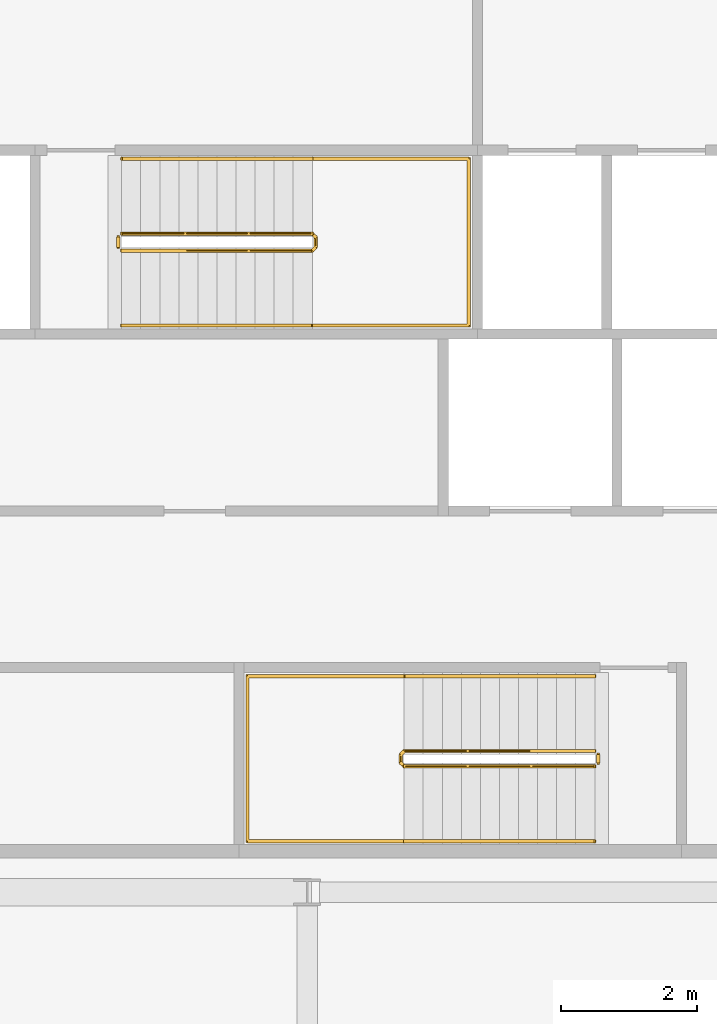
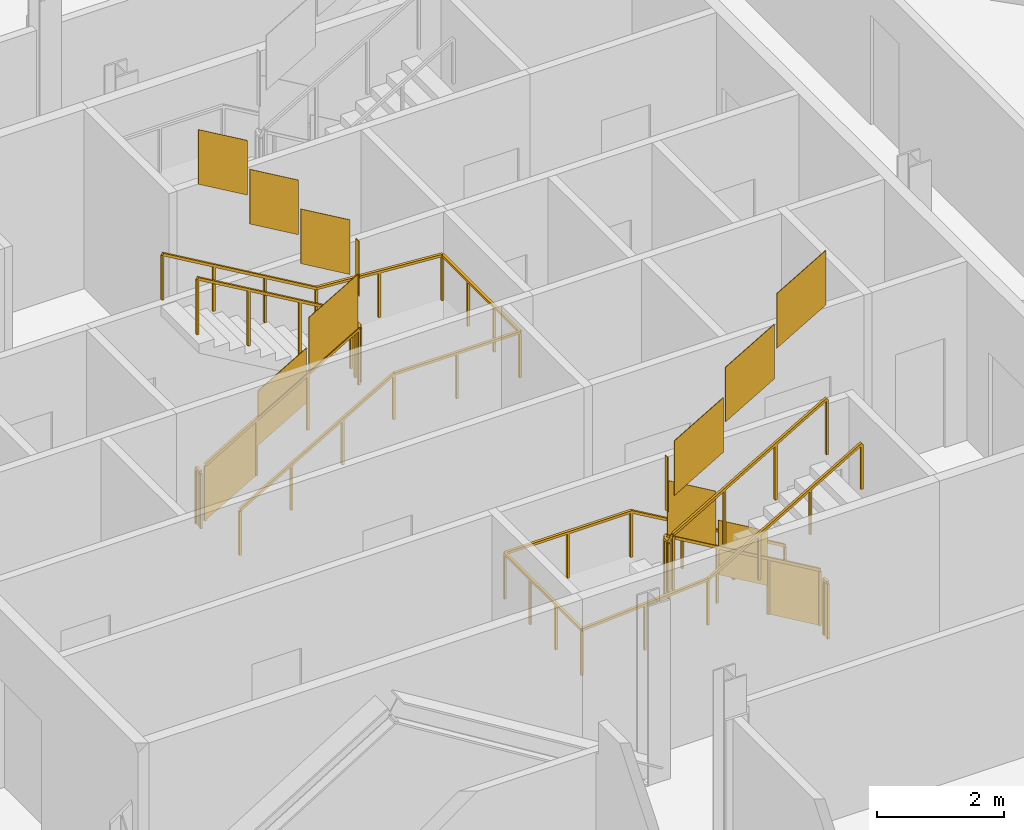
# One storey, part 14 of 17: 6 railings.
"""IFC4 building model written with IfcOpenShell, lengths in metres."""

from ifc_helpers import new_model, si_unit, direction, frame, origin, origin_2d, place, context, subcontext, project, spatial, polyline, rectangle, outline, extrude, material, type_object, element, save


model = new_model("IFC4")

# Units and contexts
model_context = context("Model", 3, precision=1e-05, world=origin(), true_north=direction((0.0, 1.0)))
body_context = subcontext(model_context, "Body", "Model", "MODEL_VIEW")
ifc_project = project(units=[si_unit("LENGTHUNIT", "METRE"), si_unit("AREAUNIT", "SQUARE_METRE"), si_unit("VOLUMEUNIT", "CUBIC_METRE"), si_unit("PLANEANGLEUNIT", "RADIAN"), si_unit("MASSUNIT", "GRAM", prefix="KILO")], contexts=[model_context])

# Site, building, storey
site_placement = place(None, origin())
site = spatial("IfcSite", under=ifc_project, at=site_placement, CompositionType="ELEMENT")
building_placement = place(site_placement, origin())
building = spatial("IfcBuilding", under=site, at=building_placement, Name="Cairn Pilgrim Tower", CompositionType="ELEMENT")
storey_placement = place(building_placement, frame((0.0, 0.0, 274.199951171875)))
storey = spatial("IfcBuildingStorey", under=building, at=storey_placement, Name="L70", CompositionType="ELEMENT", Elevation=274.199951171875)

# Railings
ifc_material = material(Name="Painted steel", Category="steel")
railing_type_1 = type_object("IfcRailingType", Name="STAIR GUARD 1100", PredefinedType="GUARDRAIL", material=ifc_material)
railing_1_placement = place(storey_placement, frame((11.425048828125, -3.925048828125, 0.16357421875)))
element("IfcRailing", 1, at=railing_1_placement, inside=storey, type_object=railing_type_1, Name="L70 ST-A stair guard 1", PredefinedType="GUARDRAIL", context=body_context, shape_type="SweptSolid", body=[
    extrude(rectangle(XDim=0.048095703125, YDim=0.048095703125, at=origin_2d()), frame((0.0, 0.0, 1.076171875), z_axis=(-0.863360870873, 0.0, 0.504586966384), x_axis=(0.0, -1.0, 0.0)), (0.0, 0.0, 1.0), 3.2431640625),
    extrude(rectangle(XDim=0.048095703125, YDim=0.048095703125, at=origin_2d()), frame((-2.800048828125, 0.0, 2.71240234375), z_axis=(-0.707106781187, -0.707106781187, 0.0), x_axis=(0.707106781187, -0.707106781187, 0.0)), (0.0, 0.0, 1.0), 0.07080078125),
    extrude(rectangle(XDim=0.048095703125, YDim=0.048095703125, at=origin_2d()), frame((-2.85009765625, -0.050048828125, 2.71240234375), z_axis=(0.0, -1.0, 0.0), x_axis=(1.0, 0.0, 0.0)), (0.0, 0.0, 1.0), 0.125),
    extrude(rectangle(XDim=0.048095703125, YDim=0.048095703125, at=origin_2d()), frame((-2.85009765625, -0.175048828125, 2.71240234375), z_axis=(0.280916556609, -0.279546231943, 0.91811752648), x_axis=(0.705375805398, 0.708833529934, 0.0)), (0.0, 0.0, 1.0), 0.17822265625),
    extrude(rectangle(XDim=0.048095703125, YDim=0.048095703125, at=origin_2d()), frame((-2.800048828125, -0.224853515625, 2.8759765625), z_axis=(0.863360870873, 0.0, 0.504586966384), x_axis=(0.0, 1.0, 0.0)), (0.0, 0.0, 1.0), 3.2431640625),
    extrude(rectangle(XDim=0.0419921875, YDim=0.0419921875, at=origin_2d()), origin(), (0.0, 0.0, 1.0), 1.052001953125),
    extrude(rectangle(XDim=0.0419921875, YDim=0.0419921875, at=origin_2d()), frame((-0.933349609375, 0.0, 0.54541015625)), (0.0, 0.0, 1.0), 1.052001953125),
    extrude(rectangle(XDim=0.0419921875, YDim=0.0419921875, at=origin_2d()), frame((-1.86669921875, 0.0, 1.091064453125)), (0.0, 0.0, 1.0), 1.052001953125),
    extrude(rectangle(XDim=0.0419921875, YDim=0.0419921875, at=origin_2d()), frame((-2.800048828125, 0.0, 1.636474609375)), (0.0, 0.0, 1.0), 1.052001953125),
    extrude(rectangle(XDim=0.0419921875, YDim=0.0419921875, at=origin_2d()), frame((-2.85009765625, -0.050048828125, 1.636474609375)), (0.0, 0.0, 1.0), 1.052001953125),
    extrude(rectangle(XDim=0.0419921875, YDim=0.0419921875, at=origin_2d()), frame((-2.85009765625, -0.175048828125, 1.636474609375)), (0.0, 0.0, 1.0), 1.052001953125),
    extrude(rectangle(XDim=0.0419921875, YDim=0.0419921875, at=origin_2d()), frame((-2.800048828125, -0.224853515625, 1.800048828125)), (0.0, 0.0, 1.0), 1.052001953125),
    extrude(rectangle(XDim=0.0419921875, YDim=0.0419921875, at=origin_2d()), frame((-1.86669921875, -0.224853515625, 2.345458984375)), (0.0, 0.0, 1.0), 1.052001953125),
    extrude(rectangle(XDim=0.0419921875, YDim=0.0419921875, at=origin_2d()), frame((-0.933349609375, -0.224853515625, 2.89111328125)), (0.0, 0.0, 1.0), 1.052001953125),
    extrude(rectangle(XDim=0.0419921875, YDim=0.0419921875, at=origin_2d()), frame((0.0, -0.224853515625, 3.4365234375)), (0.0, 0.0, 1.0), 1.052001953125),
    extrude(outline(polyline([(0.02099609375, 0.01220703125), (0.912353515625, 0.533203125), (0.912353515625, 1.585205078125), (0.02099609375, 1.064208984375), (0.02099609375, 0.01220703125)])), frame((0.0, -0.005859375, 0.0), z_axis=(0.0, 1.0, 0.0), x_axis=(-1.0, 0.0, 0.0)), (0.0, 0.0, 1.0), 0.011962890625),
    extrude(outline(polyline([(0.02099609375, 0.557861328125), (0.912353515625, 1.07861328125), (0.912353515625, 2.130615234375), (0.02099609375, 1.60986328125), (0.02099609375, 0.557861328125)])), frame((-0.933349609375, -0.005859375, 0.54541015625), z_axis=(0.0, 1.0, 0.0), x_axis=(-1.0, 0.0, 0.0)), (0.0, 0.0, 1.0), 0.011962890625),
    extrude(outline(polyline([(0.02099609375, 1.103271484375), (0.912353515625, 1.624267578125), (0.912353515625, 2.67626953125), (0.02099609375, 2.1552734375), (0.02099609375, 1.103271484375)])), frame((-1.86669921875, -0.005859375, 1.091064453125), z_axis=(0.0, 1.0, 0.0), x_axis=(-1.0, 0.0, 0.0)), (0.0, 0.0, 1.0), 0.011962890625),
    extrude(outline(polyline([(0.02099609375, 1.636474609375), (0.10400390625, 1.636474609375), (0.10400390625, 2.6884765625), (0.02099609375, 2.6884765625), (0.02099609375, 1.636474609375)])), frame((-2.84423828125, -0.050048828125, 1.636474609375), z_axis=(-1.0, 0.0, 0.0), x_axis=(0.0, -1.0, 0.0)), (0.0, 0.0, 1.0), 0.011962890625),
    extrude(outline(polyline([(0.02099609375, 1.812255859375), (0.912353515625, 2.333251953125), (0.912353515625, 3.38525390625), (0.02099609375, 2.8642578125), (0.02099609375, 1.812255859375)])), frame((-2.800048828125, -0.21875, 1.800048828125), z_axis=(0.0, -1.0, 0.0), x_axis=(1.0, 0.0, 0.0)), (0.0, 0.0, 1.0), 0.011962890625),
    extrude(outline(polyline([(0.02099609375, 2.35791015625), (0.912353515625, 2.878662109375), (0.912353515625, 3.9306640625), (0.02099609375, 3.409912109375), (0.02099609375, 2.35791015625)])), frame((-1.86669921875, -0.21875, 2.345458984375), z_axis=(0.0, -1.0, 0.0), x_axis=(1.0, 0.0, 0.0)), (0.0, 0.0, 1.0), 0.011962890625),
    extrude(outline(polyline([(0.02099609375, 2.9033203125), (0.912353515625, 3.42431640625), (0.912353515625, 4.476318359375), (0.02099609375, 3.955322265625), (0.02099609375, 2.9033203125)])), frame((-0.933349609375, -0.21875, 2.89111328125), z_axis=(0.0, -1.0, 0.0), x_axis=(1.0, 0.0, 0.0)), (0.0, 0.0, 1.0), 0.011962890625),
])
railing_2_placement = place(storey_placement, frame((11.47509765625, -3.97509765625, 0.0)))
element("IfcRailing", 2, at=railing_2_placement, inside=storey, type_object=railing_type_1, Name="L70 ST-A stair guard 2", PredefinedType="GUARDRAIL", context=body_context, shape_type="SweptSolid", body=[
    extrude(rectangle(XDim=0.048095703125, YDim=0.048095703125, at=origin_2d()), frame((0.0, 0.0, 1.076171875), z_axis=(0.0, -1.0, 0.0), x_axis=(1.0, 0.0, 0.0)), (0.0, 0.0, 1.0), 0.125),
    extrude(rectangle(XDim=0.0419921875, YDim=0.0419921875, at=origin_2d()), origin(), (0.0, 0.0, 1.0), 1.052001953125),
    extrude(rectangle(XDim=0.0419921875, YDim=0.0419921875, at=origin_2d()), frame((0.0, -0.125, 0.0)), (0.0, 0.0, 1.0), 1.052001953125),
    extrude(outline(polyline([(0.02099609375, 0.0), (0.10400390625, 0.0), (0.10400390625, 1.052001953125), (0.02099609375, 1.052001953125), (0.02099609375, 0.0)])), frame((0.005859375, 0.0, 0.0), z_axis=(-1.0, 0.0, 0.0), x_axis=(0.0, -1.0, 0.0)), (0.0, 0.0, 1.0), 0.011962890625),
])
railing_3_placement = place(storey_placement, frame((4.47509765625, 3.425048828125, 0.16357421875)))
element("IfcRailing", 3, at=railing_3_placement, inside=storey, type_object=railing_type_1, Name="L70 ST-B stair guard 1", PredefinedType="GUARDRAIL", context=body_context, shape_type="SweptSolid", body=[
    extrude(rectangle(XDim=0.048095703125, YDim=0.048095703125, at=origin_2d()), frame((0.0, 0.0, 1.076171875), z_axis=(0.863341702679, 0.0, 0.504619762213), x_axis=(0.0, 1.0, 0.0)), (0.0, 0.0, 1.0), 3.242919921875),
    extrude(rectangle(XDim=0.048095703125, YDim=0.048095703125, at=origin_2d()), frame((2.7998046875, 0.0, 2.71240234375), z_axis=(0.707106781187, 0.707106781187, 0.0), x_axis=(-0.707106781187, 0.707106781187, 0.0)), (0.0, 0.0, 1.0), 0.07080078125),
    extrude(rectangle(XDim=0.048095703125, YDim=0.048095703125, at=origin_2d()), frame((2.849853515625, 0.050048828125, 2.71240234375), z_axis=(0.0, 1.0, 0.0), x_axis=(-1.0, 0.0, 0.0)), (0.0, 0.0, 1.0), 0.14990234375),
    extrude(rectangle(XDim=0.048095703125, YDim=0.048095703125, at=origin_2d()), frame((2.849853515625, 0.199951171875, 2.71240234375), z_axis=(-0.280808744504, 0.280808744504, 0.917765164963), x_axis=(-0.707106781187, -0.707106781187, 0.0)), (0.0, 0.0, 1.0), 0.17822265625),
    extrude(rectangle(XDim=0.048095703125, YDim=0.048095703125, at=origin_2d()), frame((2.7998046875, 0.25, 2.8759765625), z_axis=(-0.863341702679, 0.0, 0.504619762213), x_axis=(0.0, -1.0, 0.0)), (0.0, 0.0, 1.0), 3.242919921875),
    extrude(rectangle(XDim=0.0419921875, YDim=0.0419921875, at=origin_2d()), origin(), (0.0, 0.0, 1.0), 1.052001953125),
    extrude(rectangle(XDim=0.0419921875, YDim=0.0419921875, at=origin_2d()), frame((0.933349609375, 0.0, 0.54541015625)), (0.0, 0.0, 1.0), 1.052001953125),
    extrude(rectangle(XDim=0.0419921875, YDim=0.0419921875, at=origin_2d()), frame((1.866455078125, 0.0, 1.091064453125)), (0.0, 0.0, 1.0), 1.052001953125),
    extrude(rectangle(XDim=0.0419921875, YDim=0.0419921875, at=origin_2d()), frame((2.7998046875, 0.0, 1.636474609375)), (0.0, 0.0, 1.0), 1.052001953125),
    extrude(rectangle(XDim=0.0419921875, YDim=0.0419921875, at=origin_2d()), frame((2.849853515625, 0.050048828125, 1.636474609375)), (0.0, 0.0, 1.0), 1.052001953125),
    extrude(rectangle(XDim=0.0419921875, YDim=0.0419921875, at=origin_2d()), frame((2.849853515625, 0.199951171875, 1.636474609375)), (0.0, 0.0, 1.0), 1.052001953125),
    extrude(rectangle(XDim=0.0419921875, YDim=0.0419921875, at=origin_2d()), frame((2.7998046875, 0.25, 1.800048828125)), (0.0, 0.0, 1.0), 1.052001953125),
    extrude(rectangle(XDim=0.0419921875, YDim=0.0419921875, at=origin_2d()), frame((1.866455078125, 0.25, 2.345458984375)), (0.0, 0.0, 1.0), 1.052001953125),
    extrude(rectangle(XDim=0.0419921875, YDim=0.0419921875, at=origin_2d()), frame((0.933349609375, 0.25, 2.89111328125)), (0.0, 0.0, 1.0), 1.052001953125),
    extrude(rectangle(XDim=0.0419921875, YDim=0.0419921875, at=origin_2d()), frame((0.0, 0.25, 3.4365234375)), (0.0, 0.0, 1.0), 1.052001953125),
    extrude(outline(polyline([(0.02099609375, 0.01220703125), (0.912353515625, 0.533203125), (0.912353515625, 1.585205078125), (0.02099609375, 1.064208984375), (0.02099609375, 0.01220703125)])), frame((0.0, 0.005859375, 0.0), z_axis=(0.0, -1.0, 0.0), x_axis=(1.0, 0.0, 0.0)), (0.0, 0.0, 1.0), 0.011962890625),
    extrude(outline(polyline([(0.02099609375, 0.557861328125), (0.912353515625, 1.07861328125), (0.912353515625, 2.130615234375), (0.02099609375, 1.60986328125), (0.02099609375, 0.557861328125)])), frame((0.933349609375, 0.005859375, 0.54541015625), z_axis=(0.0, -1.0, 0.0), x_axis=(1.0, 0.0, 0.0)), (0.0, 0.0, 1.0), 0.011962890625),
    extrude(outline(polyline([(0.02099609375, 1.103271484375), (0.912353515625, 1.624267578125), (0.912353515625, 2.67626953125), (0.02099609375, 2.1552734375), (0.02099609375, 1.103271484375)])), frame((1.866455078125, 0.005859375, 1.091064453125), z_axis=(0.0, -1.0, 0.0), x_axis=(1.0, 0.0, 0.0)), (0.0, 0.0, 1.0), 0.011962890625),
    extrude(outline(polyline([(0.02099609375, 1.636474609375), (0.12890625, 1.636474609375), (0.12890625, 2.6884765625), (0.02099609375, 2.6884765625), (0.02099609375, 1.636474609375)])), frame((2.84375, 0.050048828125, 1.636474609375), z_axis=(1.0, 0.0, 0.0), x_axis=(0.0, 1.0, 0.0)), (0.0, 0.0, 1.0), 0.011962890625),
    extrude(outline(polyline([(0.02099609375, 1.812255859375), (0.912353515625, 2.333251953125), (0.912353515625, 3.38525390625), (0.02099609375, 2.8642578125), (0.02099609375, 1.812255859375)])), frame((2.7998046875, 0.244140625, 1.800048828125), z_axis=(0.0, 1.0, 0.0), x_axis=(-1.0, 0.0, 0.0)), (0.0, 0.0, 1.0), 0.011962890625),
    extrude(outline(polyline([(0.02099609375, 2.35791015625), (0.912353515625, 2.878662109375), (0.912353515625, 3.9306640625), (0.02099609375, 3.409912109375), (0.02099609375, 2.35791015625)])), frame((1.866455078125, 0.244140625, 2.345458984375), z_axis=(0.0, 1.0, 0.0), x_axis=(-1.0, 0.0, 0.0)), (0.0, 0.0, 1.0), 0.011962890625),
    extrude(outline(polyline([(0.02099609375, 2.9033203125), (0.912353515625, 3.42431640625), (0.912353515625, 4.476318359375), (0.02099609375, 3.955322265625), (0.02099609375, 2.9033203125)])), frame((0.933349609375, 0.244140625, 2.89111328125), z_axis=(0.0, 1.0, 0.0), x_axis=(-1.0, 0.0, 0.0)), (0.0, 0.0, 1.0), 0.011962890625),
])
railing_4_placement = place(storey_placement, frame((4.425048828125, 3.47509765625, 0.0)))
element("IfcRailing", 4, at=railing_4_placement, inside=storey, type_object=railing_type_1, Name="L70 ST-B stair guard 2", PredefinedType="GUARDRAIL", context=body_context, shape_type="SweptSolid", body=[
    extrude(rectangle(XDim=0.048095703125, YDim=0.048095703125, at=origin_2d()), frame((0.0, 0.0, 1.076171875), z_axis=(0.0, 1.0, 0.0), x_axis=(-1.0, 0.0, 0.0)), (0.0, 0.0, 1.0), 0.14990234375),
    extrude(rectangle(XDim=0.0419921875, YDim=0.0419921875, at=origin_2d()), origin(), (0.0, 0.0, 1.0), 1.052001953125),
    extrude(rectangle(XDim=0.0419921875, YDim=0.0419921875, at=origin_2d()), frame((0.0, 0.14990234375, 0.0)), (0.0, 0.0, 1.0), 1.052001953125),
    extrude(outline(polyline([(0.02099609375, 0.0), (0.12890625, 0.0), (0.12890625, 1.052001953125), (0.02099609375, 1.052001953125), (0.02099609375, 0.0)])), frame((-0.005859375, 0.0, 0.0), z_axis=(1.0, 0.0, 0.0), x_axis=(0.0, 1.0, 0.0)), (0.0, 0.0, 1.0), 0.011962890625),
])
railing_type_2 = type_object("IfcRailingType", Name="STAIR HANDRAIL 900", PredefinedType="HANDRAIL", material=ifc_material)
railing_5_placement = place(storey_placement, frame((11.425048828125, -2.824951171875, 0.16357421875)))
element("IfcRailing", 5, at=railing_5_placement, inside=storey, type_object=railing_type_2, Name="L70 ST-A stair handrail 1", PredefinedType="HANDRAIL", context=body_context, shape_type="SweptSolid", body=[
    extrude(rectangle(XDim=0.048095703125, YDim=0.048095703125, at=origin_2d()), frame((0.0, 0.0, 0.8759765625), z_axis=(-0.863360870873, 0.0, 0.504586966384), x_axis=(0.0, -1.0, 0.0)), (0.0, 0.0, 1.0), 3.2431640625),
    extrude(rectangle(XDim=0.048095703125, YDim=0.048095703125, at=origin_2d()), frame((-2.800048828125, 0.0, 2.51220703125), z_axis=(-1.0, 0.0, 0.0), x_axis=(0.0, -1.0, 0.0)), (0.0, 0.0, 1.0), 2.300048828125),
    extrude(rectangle(XDim=0.048095703125, YDim=0.048095703125, at=origin_2d()), frame((-5.10009765625, 0.0, 2.51220703125), z_axis=(0.0, -1.0, 0.0), x_axis=(1.0, 0.0, 0.0)), (0.0, 0.0, 1.0), 2.425048828125),
    extrude(rectangle(XDim=0.048095703125, YDim=0.048095703125, at=origin_2d()), frame((-5.10009765625, -2.425048828125, 2.51220703125), z_axis=(0.997480687736, 0.0, 0.070938548008), x_axis=(0.0, 1.0, 0.0)), (0.0, 0.0, 1.0), 2.305908203125),
    extrude(rectangle(XDim=0.048095703125, YDim=0.048095703125, at=origin_2d()), frame((-2.800048828125, -2.425048828125, 2.67578125), z_axis=(0.863360870873, 0.0, 0.504586966384), x_axis=(0.0, 1.0, 0.0)), (0.0, 0.0, 1.0), 3.2431640625),
    extrude(rectangle(XDim=0.0419921875, YDim=0.0419921875, at=origin_2d()), origin(), (0.0, 0.0, 1.0), 0.851806640625),
    extrude(rectangle(XDim=0.0419921875, YDim=0.0419921875, at=origin_2d()), frame((-0.933349609375, 0.0, 0.54541015625)), (0.0, 0.0, 1.0), 0.851806640625),
    extrude(rectangle(XDim=0.0419921875, YDim=0.0419921875, at=origin_2d()), frame((-1.86669921875, 0.0, 1.091064453125)), (0.0, 0.0, 1.0), 0.851806640625),
    extrude(rectangle(XDim=0.0419921875, YDim=0.0419921875, at=origin_2d()), frame((-2.800048828125, 0.0, 1.636474609375)), (0.0, 0.0, 1.0), 0.851806640625),
    extrude(rectangle(XDim=0.0419921875, YDim=0.0419921875, at=origin_2d()), frame((-3.9501953125, 0.0, 1.636474609375)), (0.0, 0.0, 1.0), 0.851806640625),
    extrude(rectangle(XDim=0.0419921875, YDim=0.0419921875, at=origin_2d()), frame((-5.10009765625, 0.0, 1.636474609375)), (0.0, 0.0, 1.0), 0.851806640625),
    extrude(rectangle(XDim=0.0419921875, YDim=0.0419921875, at=origin_2d()), frame((-5.10009765625, -0.808349609375, 1.636474609375)), (0.0, 0.0, 1.0), 0.851806640625),
    extrude(rectangle(XDim=0.0419921875, YDim=0.0419921875, at=origin_2d()), frame((-5.10009765625, -1.61669921875, 1.636474609375)), (0.0, 0.0, 1.0), 0.851806640625),
    extrude(rectangle(XDim=0.0419921875, YDim=0.0419921875, at=origin_2d()), frame((-5.10009765625, -2.425048828125, 1.636474609375)), (0.0, 0.0, 1.0), 0.851806640625),
    extrude(rectangle(XDim=0.0419921875, YDim=0.0419921875, at=origin_2d()), frame((-3.9501953125, -2.425048828125, 1.71826171875)), (0.0, 0.0, 1.0), 0.851806640625),
    extrude(rectangle(XDim=0.0419921875, YDim=0.0419921875, at=origin_2d()), frame((-2.800048828125, -2.425048828125, 1.800048828125)), (0.0, 0.0, 1.0), 0.851806640625),
    extrude(rectangle(XDim=0.0419921875, YDim=0.0419921875, at=origin_2d()), frame((-1.86669921875, -2.425048828125, 2.345458984375)), (0.0, 0.0, 1.0), 0.851806640625),
    extrude(rectangle(XDim=0.0419921875, YDim=0.0419921875, at=origin_2d()), frame((-0.933349609375, -2.425048828125, 2.89111328125)), (0.0, 0.0, 1.0), 0.851806640625),
    extrude(rectangle(XDim=0.0419921875, YDim=0.0419921875, at=origin_2d()), frame((0.0, -2.425048828125, 3.4365234375)), (0.0, 0.0, 1.0), 0.851806640625),
])
railing_6_placement = place(storey_placement, frame((4.47509765625, 2.324951171875, 0.16357421875)))
element("IfcRailing", 6, at=railing_6_placement, inside=storey, type_object=railing_type_2, Name="L70 ST-B stair handrail 1", PredefinedType="HANDRAIL", context=body_context, shape_type="SweptSolid", body=[
    extrude(rectangle(XDim=0.048095703125, YDim=0.048095703125, at=origin_2d()), frame((0.0, 0.0, 0.8759765625), z_axis=(0.863341702679, 0.0, 0.504619762213), x_axis=(0.0, 1.0, 0.0)), (0.0, 0.0, 1.0), 3.242919921875),
    extrude(rectangle(XDim=0.048095703125, YDim=0.048095703125, at=origin_2d()), frame((2.7998046875, 0.0, 2.51220703125), z_axis=(1.0, 0.0, 0.0), x_axis=(0.0, 1.0, 0.0)), (0.0, 0.0, 1.0), 2.300048828125),
    extrude(rectangle(XDim=0.048095703125, YDim=0.048095703125, at=origin_2d()), frame((5.099853515625, 0.0, 2.51220703125), z_axis=(0.0, 1.0, 0.0), x_axis=(-1.0, 0.0, 0.0)), (0.0, 0.0, 1.0), 2.449951171875),
    extrude(rectangle(XDim=0.048095703125, YDim=0.048095703125, at=origin_2d()), frame((5.099853515625, 2.449951171875, 2.51220703125), z_axis=(-0.997480687736, 0.0, 0.070938548008), x_axis=(0.0, -1.0, 0.0)), (0.0, 0.0, 1.0), 2.305908203125),
    extrude(rectangle(XDim=0.048095703125, YDim=0.048095703125, at=origin_2d()), frame((2.7998046875, 2.449951171875, 2.67578125), z_axis=(-0.863341702679, 0.0, 0.504619762213), x_axis=(0.0, -1.0, 0.0)), (0.0, 0.0, 1.0), 3.242919921875),
    extrude(rectangle(XDim=0.0419921875, YDim=0.0419921875, at=origin_2d()), origin(), (0.0, 0.0, 1.0), 0.851806640625),
    extrude(rectangle(XDim=0.0419921875, YDim=0.0419921875, at=origin_2d()), frame((0.933349609375, 0.0, 0.54541015625)), (0.0, 0.0, 1.0), 0.851806640625),
    extrude(rectangle(XDim=0.0419921875, YDim=0.0419921875, at=origin_2d()), frame((1.866455078125, 0.0, 1.091064453125)), (0.0, 0.0, 1.0), 0.851806640625),
    extrude(rectangle(XDim=0.0419921875, YDim=0.0419921875, at=origin_2d()), frame((2.7998046875, 0.0, 1.636474609375)), (0.0, 0.0, 1.0), 0.851806640625),
    extrude(rectangle(XDim=0.0419921875, YDim=0.0419921875, at=origin_2d()), frame((3.94970703125, 0.0, 1.636474609375)), (0.0, 0.0, 1.0), 0.851806640625),
    extrude(rectangle(XDim=0.0419921875, YDim=0.0419921875, at=origin_2d()), frame((5.099853515625, 0.0, 1.636474609375)), (0.0, 0.0, 1.0), 0.851806640625),
    extrude(rectangle(XDim=0.0419921875, YDim=0.0419921875, at=origin_2d()), frame((5.099853515625, 0.816650390625, 1.636474609375)), (0.0, 0.0, 1.0), 0.851806640625),
    extrude(rectangle(XDim=0.0419921875, YDim=0.0419921875, at=origin_2d()), frame((5.099853515625, 1.63330078125, 1.636474609375)), (0.0, 0.0, 1.0), 0.851806640625),
    extrude(rectangle(XDim=0.0419921875, YDim=0.0419921875, at=origin_2d()), frame((5.099853515625, 2.449951171875, 1.636474609375)), (0.0, 0.0, 1.0), 0.851806640625),
    extrude(rectangle(XDim=0.0419921875, YDim=0.0419921875, at=origin_2d()), frame((3.94970703125, 2.449951171875, 1.71826171875)), (0.0, 0.0, 1.0), 0.851806640625),
    extrude(rectangle(XDim=0.0419921875, YDim=0.0419921875, at=origin_2d()), frame((2.7998046875, 2.449951171875, 1.800048828125)), (0.0, 0.0, 1.0), 0.851806640625),
    extrude(rectangle(XDim=0.0419921875, YDim=0.0419921875, at=origin_2d()), frame((1.866455078125, 2.449951171875, 2.345458984375)), (0.0, 0.0, 1.0), 0.851806640625),
    extrude(rectangle(XDim=0.0419921875, YDim=0.0419921875, at=origin_2d()), frame((0.933349609375, 2.449951171875, 2.89111328125)), (0.0, 0.0, 1.0), 0.851806640625),
    extrude(rectangle(XDim=0.0419921875, YDim=0.0419921875, at=origin_2d()), frame((0.0, 2.449951171875, 3.4365234375)), (0.0, 0.0, 1.0), 0.851806640625),
])

save(model, "model.ifc")
